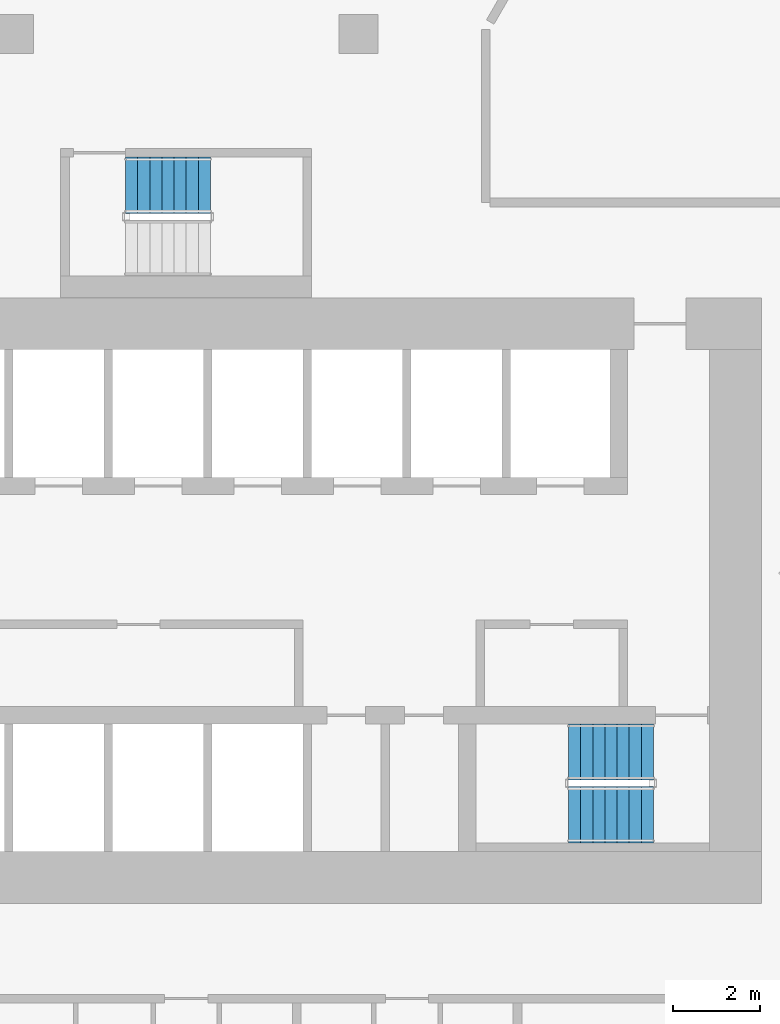
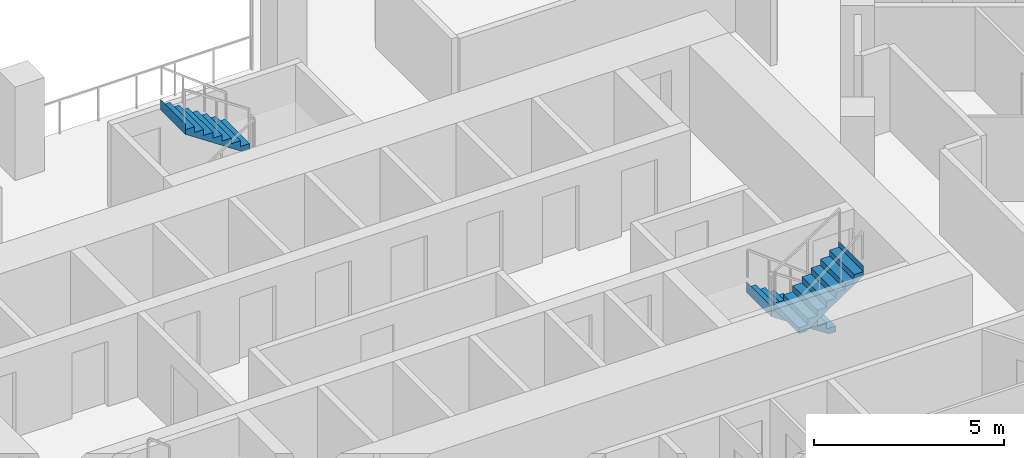
# One storey, part 12 of 16: 3 stair flights, 2 elements without a shape of their own.
"""IFC4 building model written with IfcOpenShell, lengths in metres."""

from ifc_helpers import new_model, si_unit, direction, frame, origin, place, context, subcontext, project, spatial, triangles, material, type_object, element, aggregate, save


model = new_model("IFC4")

# Units and contexts
model_context = context("Model", 3, precision=1e-05, world=origin(), true_north=direction((0.0, 1.0)))
body_context = subcontext(model_context, "Body", "Model", "MODEL_VIEW")
ifc_project = project(units=[si_unit("LENGTHUNIT", "METRE"), si_unit("AREAUNIT", "SQUARE_METRE"), si_unit("VOLUMEUNIT", "CUBIC_METRE"), si_unit("PLANEANGLEUNIT", "RADIAN"), si_unit("MASSUNIT", "GRAM", prefix="KILO")], contexts=[model_context])

# Site, building, storey
site_placement = place(None, origin())
site = spatial("IfcSite", under=ifc_project, at=site_placement, CompositionType="ELEMENT")
building_placement = place(site_placement, origin())
building = spatial("IfcBuilding", under=site, at=building_placement, Name="Beryl Residences", CompositionType="ELEMENT")
storey_placement = place(building_placement, frame((0.0, 0.0, 26.39990234375)))
storey = spatial("IfcBuildingStorey", under=building, at=storey_placement, Name="L07", CompositionType="ELEMENT", Elevation=26.39990234375)

# Stair, stair flights
ifc_material_1 = material(Name="Concrete C40/50", Category="concrete")
stair_type = type_object("IfcStairType", Name="ST1 protected exit stair, half-turn, 1300 mm flights", PredefinedType="HALF_TURN_STAIR", material=ifc_material_1)
stair_1_placement = place(storey_placement, origin())
stair_1 = element("IfcStair", 1, at=stair_1_placement, inside=storey, type_object=stair_type, Name="L07 PROTECTED EXIT STAIR ST-3", PredefinedType="HALF_TURN_STAIR")
ifc_material_2 = material(Name="Concrete C40/50", Category="concrete")
stair_flight_type = type_object("IfcStairFlightType", Name="SF1 stair flight 1300 mm", PredefinedType="STRAIGHT", material=ifc_material_2)
stair_flight_1_placement = place(storey_placement, frame((10.800048828125, -15.5, 0.0), z_axis=(0.0, 0.0, 1.0), x_axis=(-1.0, 0.0, 0.0)))
stair_flight_1 = element("IfcStairFlight", 2, at=stair_flight_1_placement, type_object=stair_flight_type, Name="ST-3 flight 1", NumberOfRisers=8, NumberOfTreads=7, PredefinedType="STRAIGHT", RiserHeight=0.1875, TreadLength=0.28, context=body_context, shape_type="Tessellation", body=[
    triangles([(0.0, -0.64990234375, 0.0), (0.0, -0.324951171875, 0.0), (0.0, 0.0, 0.0), (0.0, 0.324951171875, 0.0), (0.0, 0.64990234375, 0.0), (0.0, -0.64990234375, 0.1875), (0.0, -0.324951171875, 0.1875), (0.0, 0.0, 0.1875), (0.0, 0.324951171875, 0.1875), (0.0, 0.64990234375, 0.1875), (0.280029296875, -0.64990234375, 0.1875), (0.280029296875, -0.324951171875, 0.1875), (0.280029296875, 0.0, 0.1875), (0.280029296875, 0.324951171875, 0.1875), (0.280029296875, 0.64990234375, 0.1875), (0.280029296875, -0.64990234375, 0.375), (0.280029296875, -0.324951171875, 0.375), (0.280029296875, 0.0, 0.375), (0.280029296875, 0.324951171875, 0.375), (0.280029296875, 0.64990234375, 0.375), (0.56005859375, -0.64990234375, 0.375), (0.56005859375, -0.324951171875, 0.375), (0.56005859375, 0.0, 0.375), (0.56005859375, 0.324951171875, 0.375), (0.56005859375, 0.64990234375, 0.375), (0.56005859375, -0.64990234375, 0.5625), (0.56005859375, -0.324951171875, 0.5625), (0.56005859375, 0.0, 0.5625), (0.56005859375, 0.324951171875, 0.5625), (0.56005859375, 0.64990234375, 0.5625), (0.840087890625, -0.64990234375, 0.5625), (0.840087890625, -0.324951171875, 0.5625), (0.840087890625, 0.0, 0.5625), (0.840087890625, 0.324951171875, 0.5625), (0.840087890625, 0.64990234375, 0.5625), (0.840087890625, -0.64990234375, 0.75), (0.840087890625, -0.324951171875, 0.75), (0.840087890625, 0.0, 0.75), (0.840087890625, 0.324951171875, 0.75), (0.840087890625, 0.64990234375, 0.75), (1.1201171875, -0.64990234375, 0.75), (1.1201171875, -0.324951171875, 0.75), (1.1201171875, 0.0, 0.75), (1.1201171875, 0.324951171875, 0.75), (1.1201171875, 0.64990234375, 0.75), (1.1201171875, -0.64990234375, 0.9375), (1.1201171875, -0.324951171875, 0.9375), (1.1201171875, 0.0, 0.9375), (1.1201171875, 0.324951171875, 0.9375), (1.1201171875, 0.64990234375, 0.9375), (1.39990234375, -0.64990234375, 0.9375), (1.39990234375, -0.324951171875, 0.9375), (1.39990234375, 0.0, 0.9375), (1.39990234375, 0.324951171875, 0.9375), (1.39990234375, 0.64990234375, 0.9375), (1.39990234375, -0.64990234375, 1.125), (1.39990234375, -0.324951171875, 1.125), (1.39990234375, 0.0, 1.125), (1.39990234375, 0.324951171875, 1.125), (1.39990234375, 0.64990234375, 1.125), (1.679931640625, -0.64990234375, 1.125), (1.679931640625, -0.324951171875, 1.125), (1.679931640625, 0.0, 1.125), (1.679931640625, 0.324951171875, 1.125), (1.679931640625, 0.64990234375, 1.125), (1.679931640625, -0.64990234375, 1.3125), (1.679931640625, -0.324951171875, 1.3125), (1.679931640625, 0.0, 1.3125), (1.679931640625, 0.324951171875, 1.3125), (1.679931640625, 0.64990234375, 1.3125), (1.9599609375, -0.64990234375, 1.3125), (1.9599609375, -0.324951171875, 1.3125), (1.9599609375, 0.0, 1.3125), (1.9599609375, 0.324951171875, 1.3125), (1.9599609375, 0.64990234375, 1.3125), (1.9599609375, -0.64990234375, 1.5), (1.9599609375, -0.324951171875, 1.5), (1.9599609375, 0.0, 1.5), (1.9599609375, 0.324951171875, 1.5), (1.9599609375, 0.64990234375, 1.5), (1.9609375, -0.64990234375, 1.5), (1.9609375, -0.324951171875, 1.5), (1.9609375, 0.0, 1.5), (1.9609375, 0.324951171875, 1.5), (1.9609375, 0.64990234375, 1.5), (1.9609375, -0.64990234375, 1.16796875), (1.9609375, -0.324951171875, 1.16796875), (1.9609375, 0.0, 1.16796875), (1.9609375, 0.324951171875, 1.16796875), (1.9609375, 0.64990234375, 1.16796875), (0.216796875, -0.64990234375, 0.0), (0.216796875, -0.324951171875, 0.0), (0.216796875, 0.0, 0.0), (0.216796875, 0.324951171875, 0.0), (0.216796875, 0.64990234375, 0.0)], [[1, 6, 7], [1, 7, 2], [2, 7, 8], [2, 8, 3], [3, 8, 9], [3, 9, 4], [4, 9, 10], [4, 10, 5], [6, 11, 12], [6, 12, 7], [7, 12, 13], [7, 13, 8], [8, 13, 14], [8, 14, 9], [9, 14, 15], [9, 15, 10], [11, 16, 17], [11, 17, 12], [12, 17, 18], [12, 18, 13], [13, 18, 19], [13, 19, 14], [14, 19, 20], [14, 20, 15], [16, 21, 22], [16, 22, 17], [17, 22, 23], [17, 23, 18], [18, 23, 24], [18, 24, 19], [19, 24, 25], [19, 25, 20], [21, 26, 27], [21, 27, 22], [22, 27, 28], [22, 28, 23], [23, 28, 29], [23, 29, 24], [24, 29, 30], [24, 30, 25], [26, 31, 32], [26, 32, 27], [27, 32, 33], [27, 33, 28], [28, 33, 34], [28, 34, 29], [29, 34, 35], [29, 35, 30], [31, 36, 37], [31, 37, 32], [32, 37, 38], [32, 38, 33], [33, 38, 39], [33, 39, 34], [34, 39, 40], [34, 40, 35], [36, 41, 42], [36, 42, 37], [37, 42, 43], [37, 43, 38], [38, 43, 44], [38, 44, 39], [39, 44, 45], [39, 45, 40], [41, 46, 47], [41, 47, 42], [42, 47, 48], [42, 48, 43], [43, 48, 49], [43, 49, 44], [44, 49, 50], [44, 50, 45], [46, 51, 52], [46, 52, 47], [47, 52, 53], [47, 53, 48], [48, 53, 54], [48, 54, 49], [49, 54, 55], [49, 55, 50], [51, 56, 57], [51, 57, 52], [52, 57, 58], [52, 58, 53], [53, 58, 59], [53, 59, 54], [54, 59, 60], [54, 60, 55], [56, 61, 62], [56, 62, 57], [57, 62, 63], [57, 63, 58], [58, 63, 64], [58, 64, 59], [59, 64, 65], [59, 65, 60], [61, 66, 67], [61, 67, 62], [62, 67, 68], [62, 68, 63], [63, 68, 69], [63, 69, 64], [64, 69, 70], [64, 70, 65], [66, 71, 72], [66, 72, 67], [67, 72, 73], [67, 73, 68], [68, 73, 74], [68, 74, 69], [69, 74, 75], [69, 75, 70], [71, 76, 77], [71, 77, 72], [72, 77, 78], [72, 78, 73], [73, 78, 79], [73, 79, 74], [74, 79, 80], [74, 80, 75], [76, 81, 82], [76, 82, 77], [77, 82, 83], [77, 83, 78], [78, 83, 84], [78, 84, 79], [79, 84, 85], [79, 85, 80], [81, 86, 87], [81, 87, 82], [82, 87, 88], [82, 88, 83], [83, 88, 89], [83, 89, 84], [84, 89, 90], [84, 90, 85], [86, 91, 92], [86, 92, 87], [87, 92, 93], [87, 93, 88], [88, 93, 94], [88, 94, 89], [89, 94, 95], [89, 95, 90], [91, 1, 2], [91, 2, 92], [92, 2, 3], [92, 3, 93], [93, 3, 4], [93, 4, 94], [94, 4, 5], [94, 5, 95], [1, 91, 86], [5, 90, 95], [86, 81, 76], [90, 80, 85], [86, 76, 71], [90, 75, 80], [86, 71, 66], [90, 70, 75], [86, 66, 61], [90, 65, 70], [61, 56, 51], [65, 55, 60], [86, 61, 51], [90, 55, 65], [51, 46, 41], [55, 45, 50], [86, 51, 41], [90, 45, 55], [41, 36, 31], [45, 35, 40], [86, 41, 31], [90, 35, 45], [31, 26, 21], [35, 25, 30], [86, 31, 21], [90, 25, 35], [21, 16, 11], [25, 15, 20], [86, 21, 11], [90, 15, 25], [1, 86, 11], [5, 15, 90], [11, 6, 1], [15, 5, 10]], closed=True),
])
stair_flight_2_placement = place(storey_placement, frame((8.840087890625, -16.949951171875, 1.5), z_axis=(0.0, 0.0, 1.0), x_axis=(1.0, 0.0, 0.0)))
stair_flight_2 = element("IfcStairFlight", 3, at=stair_flight_2_placement, type_object=stair_flight_type, Name="ST-3 flight 2", NumberOfRisers=8, NumberOfTreads=7, PredefinedType="STRAIGHT", RiserHeight=0.1875, TreadLength=0.28, context=body_context, shape_type="Tessellation", body=[
    triangles([(0.0, -0.64990234375, 0.0), (0.0, -0.324951171875, 0.0), (0.0, 0.0, 0.0), (0.0, 0.324951171875, 0.0), (0.0, 0.64990234375, 0.0), (0.0, -0.64990234375, 0.1875), (0.0, -0.324951171875, 0.1875), (0.0, 0.0, 0.1875), (0.0, 0.324951171875, 0.1875), (0.0, 0.64990234375, 0.1875), (0.280029296875, -0.64990234375, 0.1875), (0.280029296875, -0.324951171875, 0.1875), (0.280029296875, 0.0, 0.1875), (0.280029296875, 0.324951171875, 0.1875), (0.280029296875, 0.64990234375, 0.1875), (0.280029296875, -0.64990234375, 0.375), (0.280029296875, -0.324951171875, 0.375), (0.280029296875, 0.0, 0.375), (0.280029296875, 0.324951171875, 0.375), (0.280029296875, 0.64990234375, 0.375), (0.56005859375, -0.64990234375, 0.375), (0.56005859375, -0.324951171875, 0.375), (0.56005859375, 0.0, 0.375), (0.56005859375, 0.324951171875, 0.375), (0.56005859375, 0.64990234375, 0.375), (0.56005859375, -0.64990234375, 0.5625), (0.56005859375, -0.324951171875, 0.5625), (0.56005859375, 0.0, 0.5625), (0.56005859375, 0.324951171875, 0.5625), (0.56005859375, 0.64990234375, 0.5625), (0.840087890625, -0.64990234375, 0.5625), (0.840087890625, -0.324951171875, 0.5625), (0.840087890625, 0.0, 0.5625), (0.840087890625, 0.324951171875, 0.5625), (0.840087890625, 0.64990234375, 0.5625), (0.840087890625, -0.64990234375, 0.75), (0.840087890625, -0.324951171875, 0.75), (0.840087890625, 0.0, 0.75), (0.840087890625, 0.324951171875, 0.75), (0.840087890625, 0.64990234375, 0.75), (1.1201171875, -0.64990234375, 0.75), (1.1201171875, -0.324951171875, 0.75), (1.1201171875, 0.0, 0.75), (1.1201171875, 0.324951171875, 0.75), (1.1201171875, 0.64990234375, 0.75), (1.1201171875, -0.64990234375, 0.9375), (1.1201171875, -0.324951171875, 0.9375), (1.1201171875, 0.0, 0.9375), (1.1201171875, 0.324951171875, 0.9375), (1.1201171875, 0.64990234375, 0.9375), (1.39990234375, -0.64990234375, 0.9375), (1.39990234375, -0.324951171875, 0.9375), (1.39990234375, 0.0, 0.9375), (1.39990234375, 0.324951171875, 0.9375), (1.39990234375, 0.64990234375, 0.9375), (1.39990234375, -0.64990234375, 1.125), (1.39990234375, -0.324951171875, 1.125), (1.39990234375, 0.0, 1.125), (1.39990234375, 0.324951171875, 1.125), (1.39990234375, 0.64990234375, 1.125), (1.679931640625, -0.64990234375, 1.125), (1.679931640625, -0.324951171875, 1.125), (1.679931640625, 0.0, 1.125), (1.679931640625, 0.324951171875, 1.125), (1.679931640625, 0.64990234375, 1.125), (1.679931640625, -0.64990234375, 1.3125), (1.679931640625, -0.324951171875, 1.3125), (1.679931640625, 0.0, 1.3125), (1.679931640625, 0.324951171875, 1.3125), (1.679931640625, 0.64990234375, 1.3125), (1.9599609375, -0.64990234375, 1.3125), (1.9599609375, -0.324951171875, 1.3125), (1.9599609375, 0.0, 1.3125), (1.9599609375, 0.324951171875, 1.3125), (1.9599609375, 0.64990234375, 1.3125), (1.9599609375, -0.64990234375, 1.5), (1.9599609375, -0.324951171875, 1.5), (1.9599609375, 0.0, 1.5), (1.9599609375, 0.324951171875, 1.5), (1.9599609375, 0.64990234375, 1.5), (1.9609375, -0.64990234375, 1.5), (1.9609375, -0.324951171875, 1.5), (1.9609375, 0.0, 1.5), (1.9609375, 0.324951171875, 1.5), (1.9609375, 0.64990234375, 1.5), (1.9609375, -0.64990234375, 1.16796875), (1.9609375, -0.324951171875, 1.16796875), (1.9609375, 0.0, 1.16796875), (1.9609375, 0.324951171875, 1.16796875), (1.9609375, 0.64990234375, 1.16796875), (0.216796875, -0.64990234375, 0.0), (0.216796875, -0.324951171875, 0.0), (0.216796875, 0.0, 0.0), (0.216796875, 0.324951171875, 0.0), (0.216796875, 0.64990234375, 0.0)], [[1, 6, 7], [1, 7, 2], [2, 7, 8], [2, 8, 3], [3, 8, 9], [3, 9, 4], [4, 9, 10], [4, 10, 5], [6, 11, 12], [6, 12, 7], [7, 12, 13], [7, 13, 8], [8, 13, 14], [8, 14, 9], [9, 14, 15], [9, 15, 10], [11, 16, 17], [11, 17, 12], [12, 17, 18], [12, 18, 13], [13, 18, 19], [13, 19, 14], [14, 19, 20], [14, 20, 15], [16, 21, 22], [16, 22, 17], [17, 22, 23], [17, 23, 18], [18, 23, 24], [18, 24, 19], [19, 24, 25], [19, 25, 20], [21, 26, 27], [21, 27, 22], [22, 27, 28], [22, 28, 23], [23, 28, 29], [23, 29, 24], [24, 29, 30], [24, 30, 25], [26, 31, 32], [26, 32, 27], [27, 32, 33], [27, 33, 28], [28, 33, 34], [28, 34, 29], [29, 34, 35], [29, 35, 30], [31, 36, 37], [31, 37, 32], [32, 37, 38], [32, 38, 33], [33, 38, 39], [33, 39, 34], [34, 39, 40], [34, 40, 35], [36, 41, 42], [36, 42, 37], [37, 42, 43], [37, 43, 38], [38, 43, 44], [38, 44, 39], [39, 44, 45], [39, 45, 40], [41, 46, 47], [41, 47, 42], [42, 47, 48], [42, 48, 43], [43, 48, 49], [43, 49, 44], [44, 49, 50], [44, 50, 45], [46, 51, 52], [46, 52, 47], [47, 52, 53], [47, 53, 48], [48, 53, 54], [48, 54, 49], [49, 54, 55], [49, 55, 50], [51, 56, 57], [51, 57, 52], [52, 57, 58], [52, 58, 53], [53, 58, 59], [53, 59, 54], [54, 59, 60], [54, 60, 55], [56, 61, 62], [56, 62, 57], [57, 62, 63], [57, 63, 58], [58, 63, 64], [58, 64, 59], [59, 64, 65], [59, 65, 60], [61, 66, 67], [61, 67, 62], [62, 67, 68], [62, 68, 63], [63, 68, 69], [63, 69, 64], [64, 69, 70], [64, 70, 65], [66, 71, 72], [66, 72, 67], [67, 72, 73], [67, 73, 68], [68, 73, 74], [68, 74, 69], [69, 74, 75], [69, 75, 70], [71, 76, 77], [71, 77, 72], [72, 77, 78], [72, 78, 73], [73, 78, 79], [73, 79, 74], [74, 79, 80], [74, 80, 75], [76, 81, 82], [76, 82, 77], [77, 82, 83], [77, 83, 78], [78, 83, 84], [78, 84, 79], [79, 84, 85], [79, 85, 80], [81, 86, 87], [81, 87, 82], [82, 87, 88], [82, 88, 83], [83, 88, 89], [83, 89, 84], [84, 89, 90], [84, 90, 85], [86, 91, 92], [86, 92, 87], [87, 92, 93], [87, 93, 88], [88, 93, 94], [88, 94, 89], [89, 94, 95], [89, 95, 90], [91, 1, 2], [91, 2, 92], [92, 2, 3], [92, 3, 93], [93, 3, 4], [93, 4, 94], [94, 4, 5], [94, 5, 95], [1, 91, 86], [5, 90, 95], [86, 81, 76], [90, 80, 85], [86, 76, 71], [90, 75, 80], [86, 71, 66], [90, 70, 75], [86, 66, 61], [90, 65, 70], [61, 56, 51], [65, 55, 60], [86, 61, 51], [90, 55, 65], [51, 46, 41], [55, 45, 50], [86, 51, 41], [90, 45, 55], [41, 36, 31], [45, 35, 40], [86, 41, 31], [90, 35, 45], [31, 26, 21], [35, 25, 30], [86, 31, 21], [90, 25, 35], [21, 16, 11], [25, 15, 20], [86, 21, 11], [90, 15, 25], [1, 86, 11], [5, 15, 90], [11, 6, 1], [15, 5, 10]], closed=True),
])
aggregate(stair_1, [stair_flight_1, stair_flight_2])

# Stair, stair flight
stair_2_placement = place(storey_placement, origin())
stair_2 = element("IfcStair", 4, at=stair_2_placement, inside=storey, type_object=stair_type, Name="L07 PROTECTED EXIT STAIR ST-4", PredefinedType="HALF_TURN_STAIR")
stair_flight_3_placement = place(storey_placement, frame((0.56005859375, -2.39990234375, 1.5), z_axis=(0.0, 0.0, 1.0), x_axis=(-1.0, 0.0, 0.0)))
stair_flight_3 = element("IfcStairFlight", 5, at=stair_flight_3_placement, type_object=stair_flight_type, Name="ST-4 flight 2", NumberOfRisers=8, NumberOfTreads=7, PredefinedType="STRAIGHT", RiserHeight=0.1875, TreadLength=0.28, context=body_context, shape_type="Tessellation", body=[
    triangles([(0.0, -0.64990234375, 0.0), (0.0, -0.324951171875, 0.0), (0.0, 0.0, 0.0), (0.0, 0.324951171875, 0.0), (0.0, 0.64990234375, 0.0), (0.0, -0.64990234375, 0.1875), (0.0, -0.324951171875, 0.1875), (0.0, 0.0, 0.1875), (0.0, 0.324951171875, 0.1875), (0.0, 0.64990234375, 0.1875), (0.280029296875, -0.64990234375, 0.1875), (0.280029296875, -0.324951171875, 0.1875), (0.280029296875, 0.0, 0.1875), (0.280029296875, 0.324951171875, 0.1875), (0.280029296875, 0.64990234375, 0.1875), (0.280029296875, -0.64990234375, 0.375), (0.280029296875, -0.324951171875, 0.375), (0.280029296875, 0.0, 0.375), (0.280029296875, 0.324951171875, 0.375), (0.280029296875, 0.64990234375, 0.375), (0.56005859375, -0.64990234375, 0.375), (0.56005859375, -0.324951171875, 0.375), (0.56005859375, 0.0, 0.375), (0.56005859375, 0.324951171875, 0.375), (0.56005859375, 0.64990234375, 0.375), (0.56005859375, -0.64990234375, 0.5625), (0.56005859375, -0.324951171875, 0.5625), (0.56005859375, 0.0, 0.5625), (0.56005859375, 0.324951171875, 0.5625), (0.56005859375, 0.64990234375, 0.5625), (0.840087890625, -0.64990234375, 0.5625), (0.840087890625, -0.324951171875, 0.5625), (0.840087890625, 0.0, 0.5625), (0.840087890625, 0.324951171875, 0.5625), (0.840087890625, 0.64990234375, 0.5625), (0.840087890625, -0.64990234375, 0.75), (0.840087890625, -0.324951171875, 0.75), (0.840087890625, 0.0, 0.75), (0.840087890625, 0.324951171875, 0.75), (0.840087890625, 0.64990234375, 0.75), (1.1201171875, -0.64990234375, 0.75), (1.1201171875, -0.324951171875, 0.75), (1.1201171875, 0.0, 0.75), (1.1201171875, 0.324951171875, 0.75), (1.1201171875, 0.64990234375, 0.75), (1.1201171875, -0.64990234375, 0.9375), (1.1201171875, -0.324951171875, 0.9375), (1.1201171875, 0.0, 0.9375), (1.1201171875, 0.324951171875, 0.9375), (1.1201171875, 0.64990234375, 0.9375), (1.39990234375, -0.64990234375, 0.9375), (1.39990234375, -0.324951171875, 0.9375), (1.39990234375, 0.0, 0.9375), (1.39990234375, 0.324951171875, 0.9375), (1.39990234375, 0.64990234375, 0.9375), (1.39990234375, -0.64990234375, 1.125), (1.39990234375, -0.324951171875, 1.125), (1.39990234375, 0.0, 1.125), (1.39990234375, 0.324951171875, 1.125), (1.39990234375, 0.64990234375, 1.125), (1.679931640625, -0.64990234375, 1.125), (1.679931640625, -0.324951171875, 1.125), (1.679931640625, 0.0, 1.125), (1.679931640625, 0.324951171875, 1.125), (1.679931640625, 0.64990234375, 1.125), (1.679931640625, -0.64990234375, 1.3125), (1.679931640625, -0.324951171875, 1.3125), (1.679931640625, 0.0, 1.3125), (1.679931640625, 0.324951171875, 1.3125), (1.679931640625, 0.64990234375, 1.3125), (1.9599609375, -0.64990234375, 1.3125), (1.9599609375, -0.324951171875, 1.3125), (1.9599609375, 0.0, 1.3125), (1.9599609375, 0.324951171875, 1.3125), (1.9599609375, 0.64990234375, 1.3125), (1.9599609375, -0.64990234375, 1.5), (1.9599609375, -0.324951171875, 1.5), (1.9599609375, 0.0, 1.5), (1.9599609375, 0.324951171875, 1.5), (1.9599609375, 0.64990234375, 1.5), (1.9609375, -0.64990234375, 1.5), (1.9609375, -0.324951171875, 1.5), (1.9609375, 0.0, 1.5), (1.9609375, 0.324951171875, 1.5), (1.9609375, 0.64990234375, 1.5), (1.9609375, -0.64990234375, 1.16796875), (1.9609375, -0.324951171875, 1.16796875), (1.9609375, 0.0, 1.16796875), (1.9609375, 0.324951171875, 1.16796875), (1.9609375, 0.64990234375, 1.16796875), (0.216796875, -0.64990234375, 0.0), (0.216796875, -0.324951171875, 0.0), (0.216796875, 0.0, 0.0), (0.216796875, 0.324951171875, 0.0), (0.216796875, 0.64990234375, 0.0)], [[1, 6, 7], [1, 7, 2], [2, 7, 8], [2, 8, 3], [3, 8, 9], [3, 9, 4], [4, 9, 10], [4, 10, 5], [6, 11, 12], [6, 12, 7], [7, 12, 13], [7, 13, 8], [8, 13, 14], [8, 14, 9], [9, 14, 15], [9, 15, 10], [11, 16, 17], [11, 17, 12], [12, 17, 18], [12, 18, 13], [13, 18, 19], [13, 19, 14], [14, 19, 20], [14, 20, 15], [16, 21, 22], [16, 22, 17], [17, 22, 23], [17, 23, 18], [18, 23, 24], [18, 24, 19], [19, 24, 25], [19, 25, 20], [21, 26, 27], [21, 27, 22], [22, 27, 28], [22, 28, 23], [23, 28, 29], [23, 29, 24], [24, 29, 30], [24, 30, 25], [26, 31, 32], [26, 32, 27], [27, 32, 33], [27, 33, 28], [28, 33, 34], [28, 34, 29], [29, 34, 35], [29, 35, 30], [31, 36, 37], [31, 37, 32], [32, 37, 38], [32, 38, 33], [33, 38, 39], [33, 39, 34], [34, 39, 40], [34, 40, 35], [36, 41, 42], [36, 42, 37], [37, 42, 43], [37, 43, 38], [38, 43, 44], [38, 44, 39], [39, 44, 45], [39, 45, 40], [41, 46, 47], [41, 47, 42], [42, 47, 48], [42, 48, 43], [43, 48, 49], [43, 49, 44], [44, 49, 50], [44, 50, 45], [46, 51, 52], [46, 52, 47], [47, 52, 53], [47, 53, 48], [48, 53, 54], [48, 54, 49], [49, 54, 55], [49, 55, 50], [51, 56, 57], [51, 57, 52], [52, 57, 58], [52, 58, 53], [53, 58, 59], [53, 59, 54], [54, 59, 60], [54, 60, 55], [56, 61, 62], [56, 62, 57], [57, 62, 63], [57, 63, 58], [58, 63, 64], [58, 64, 59], [59, 64, 65], [59, 65, 60], [61, 66, 67], [61, 67, 62], [62, 67, 68], [62, 68, 63], [63, 68, 69], [63, 69, 64], [64, 69, 70], [64, 70, 65], [66, 71, 72], [66, 72, 67], [67, 72, 73], [67, 73, 68], [68, 73, 74], [68, 74, 69], [69, 74, 75], [69, 75, 70], [71, 76, 77], [71, 77, 72], [72, 77, 78], [72, 78, 73], [73, 78, 79], [73, 79, 74], [74, 79, 80], [74, 80, 75], [76, 81, 82], [76, 82, 77], [77, 82, 83], [77, 83, 78], [78, 83, 84], [78, 84, 79], [79, 84, 85], [79, 85, 80], [81, 86, 87], [81, 87, 82], [82, 87, 88], [82, 88, 83], [83, 88, 89], [83, 89, 84], [84, 89, 90], [84, 90, 85], [86, 91, 92], [86, 92, 87], [87, 92, 93], [87, 93, 88], [88, 93, 94], [88, 94, 89], [89, 94, 95], [89, 95, 90], [91, 1, 2], [91, 2, 92], [92, 2, 3], [92, 3, 93], [93, 3, 4], [93, 4, 94], [94, 4, 5], [94, 5, 95], [1, 91, 86], [5, 90, 95], [86, 81, 76], [90, 80, 85], [86, 76, 71], [90, 75, 80], [86, 71, 66], [90, 70, 75], [86, 66, 61], [90, 65, 70], [61, 56, 51], [65, 55, 60], [86, 61, 51], [90, 55, 65], [51, 46, 41], [55, 45, 50], [86, 51, 41], [90, 45, 55], [41, 36, 31], [45, 35, 40], [86, 41, 31], [90, 35, 45], [31, 26, 21], [35, 25, 30], [86, 31, 21], [90, 25, 35], [21, 16, 11], [25, 15, 20], [86, 21, 11], [90, 15, 25], [1, 86, 11], [5, 15, 90], [11, 6, 1], [15, 5, 10]], closed=True),
])
aggregate(stair_2, [stair_flight_3])

save(model, "model.ifc")
